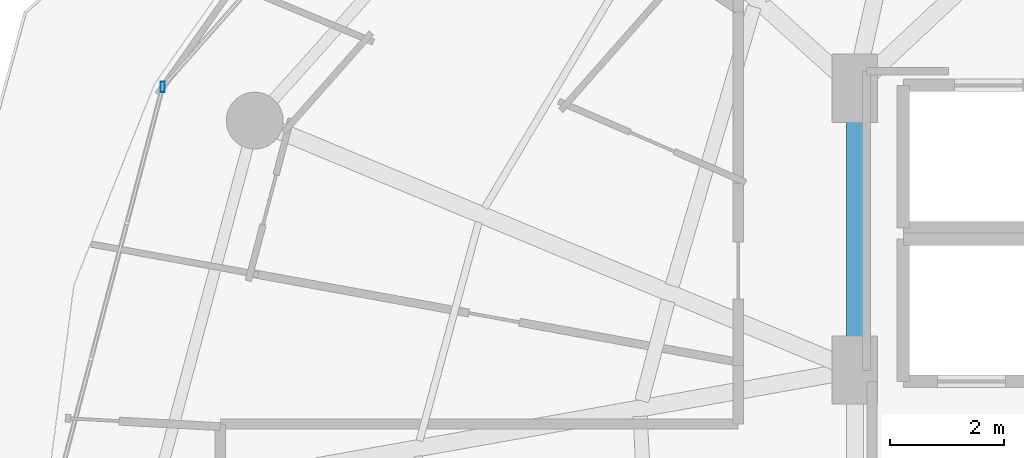
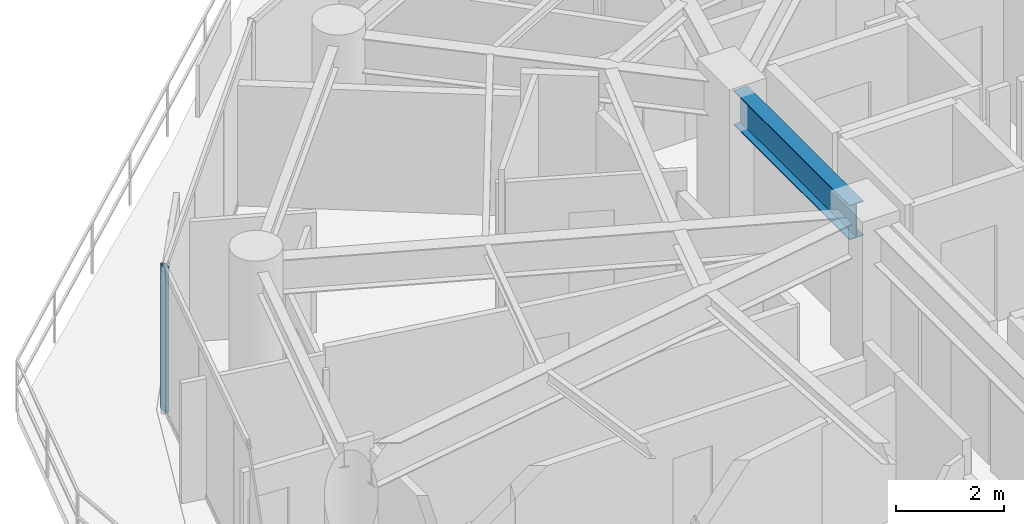
# One storey, part 8 of 29: 1 beam, 1 member, 1 element without a shape of its own.
"""IFC4 building model written with IfcOpenShell, lengths in metres."""

from ifc_helpers import new_model, si_unit, direction, frame, origin, origin_2d, place, context, subcontext, project, spatial, hollow_rectangle, i_section, extrude, material, material_profile, profile_set, type_object, element, aggregate, save


model = new_model("IFC4")

# Units and contexts
model_context = context("Model", 3, precision=1e-05, world=origin(), true_north=direction((0.0, 1.0)))
body_context = subcontext(model_context, "Body", "Model", "MODEL_VIEW")
ifc_project = project(units=[si_unit("LENGTHUNIT", "METRE"), si_unit("AREAUNIT", "SQUARE_METRE"), si_unit("VOLUMEUNIT", "CUBIC_METRE"), si_unit("PLANEANGLEUNIT", "RADIAN"), si_unit("MASSUNIT", "GRAM", prefix="KILO")], contexts=[model_context])

# Site, building, storey
site_placement = place(None, origin())
site = spatial("IfcSite", under=ifc_project, at=site_placement, CompositionType="ELEMENT")
building_placement = place(site_placement, origin())
building = spatial("IfcBuilding", under=site, at=building_placement, Name="Vorneva Point Tower", CompositionType="ELEMENT")
storey_placement = place(building_placement, frame((0.0, 0.0, 150.10009765625)))
storey = spatial("IfcBuildingStorey", under=building, at=storey_placement, Name="L40", CompositionType="ELEMENT", Elevation=150.10009765625)

# Beam
ifc_material_1 = material(Name="Steel S355", Category="steel")
ifc_material_profile_1 = material_profile(ifc_material_1, i_section(OverallWidth=0.300048828125, OverallDepth=0.7880859375, WebThickness=0.014404296875, FlangeThickness=0.02197265625, at=origin_2d()), Name="80Sh1")
ifc_profile_set_1 = profile_set([ifc_material_profile_1], Name="Steel S355")
beam_type = type_object("IfcBeamType", Name="BM-GRD-80Sh1", PredefinedType="USERDEFINED", material=ifc_profile_set_1)
beam_placement = place(storey_placement, frame((27.25, 28.52001953125, 2.845947265625), z_axis=(0.0, 1.0, 0.0), x_axis=(-1.0, 0.0, 0.0)))
element("IfcBeam", 1, at=beam_placement, inside=storey, type_object=beam_type, Name="L40 Core Tie Girder CT2", ObjectType="GIRDER", PredefinedType="USERDEFINED", context=body_context, shape_type="SweptSolid", body=[
    extrude(i_section(OverallWidth=0.300048828125, OverallDepth=0.7880859375, WebThickness=0.014404296875, FlangeThickness=0.02197265625, at=origin_2d()), origin(), (0.0, 0.0, 1.0), 4.31005859375),
])

# Curtain wall, member
ifc_material_2 = material(Name="Pale anodised aluminium", Category="aluminium")
curtain_wall_type = type_object("IfcCurtainWallType", Name="CW-RES-SYS", PredefinedType="NOTDEFINED", material=ifc_material_2)
curtain_wall_placement = place(storey_placement, origin())
curtain_wall = element("IfcCurtainWall", 2, at=curtain_wall_placement, inside=storey, type_object=curtain_wall_type, Name="L40 Unitised Curtain Wall CW-L40-R03", PredefinedType="NOTDEFINED")
ifc_material_profile_2 = material_profile(ifc_material_2, hollow_rectangle(XDim=0.074951171875, YDim=0.179931640625, WallThickness=0.00390625, at=origin_2d()), Name="AL-MUL 180x75x4")
ifc_profile_set_2 = profile_set([ifc_material_profile_2], Name="Pale anodised aluminium")
member_type = type_object("IfcMemberType", Name="CW-MUL-180", PredefinedType="MULLION", material=ifc_profile_set_2)
member_placement = place(storey_placement, frame((15.087890625, 33.17529296875, -0.0400390625), z_axis=(0.0, 0.0, 1.0), x_axis=(1.0, 0.0, 0.0)))
member = element("IfcMember", 3, at=member_placement, type_object=member_type, Name="CW-L40-R03 Mullion 03", PredefinedType="MULLION", context=body_context, shape_type="SweptSolid", body=[
    extrude(hollow_rectangle(XDim=0.074951171875, YDim=0.179931640625, WallThickness=0.00390625, at=origin_2d()), origin(), (0.0, 0.0, 1.0), 3.31005859375),
])
aggregate(curtain_wall, [member])

save(model, "model.ifc")
